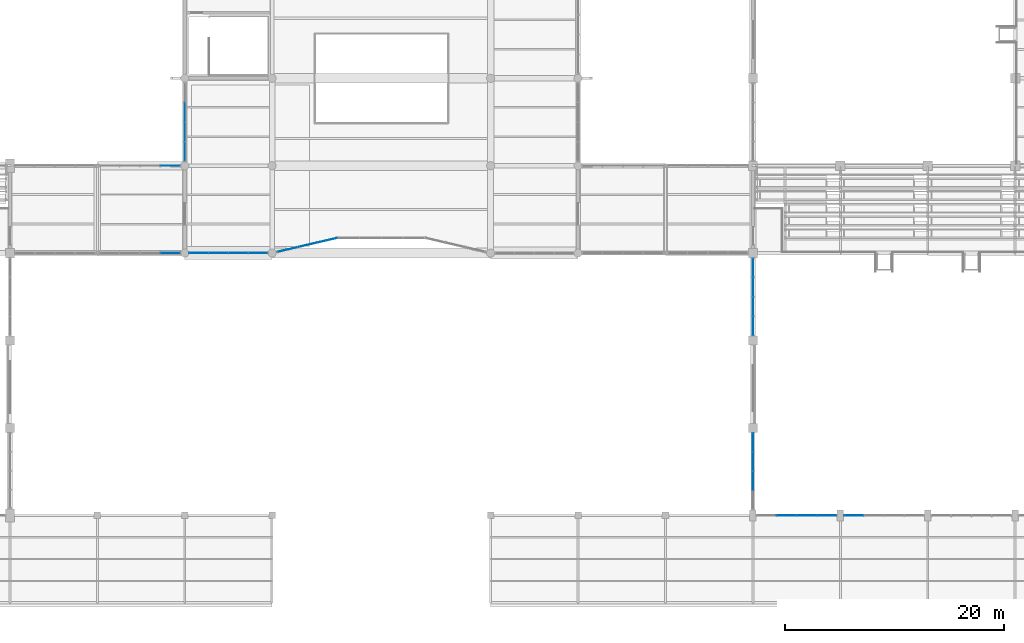
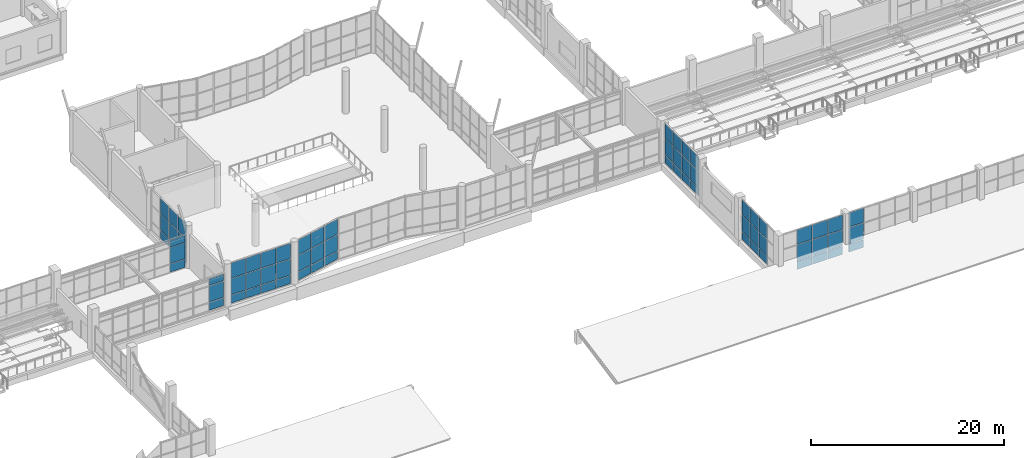
# One storey, part 74 of 122: 69 plates, 9 elements without a shape of their own.
"""IFC4 building model written with IfcOpenShell, lengths in metres."""

from ifc_helpers import new_model, si_unit, direction, frame, origin, origin_2d, place, context, subcontext, project, spatial, rectangle, extrude, material, layer, layer_set, type_object, element, aggregate, save


model = new_model("IFC4")

# Units and contexts
model_context = context("Model", 3, precision=1e-05, world=origin(), true_north=direction((0.0, 1.0)))
body_context = subcontext(model_context, "Body", "Model", "MODEL_VIEW")
ifc_project = project(units=[si_unit("LENGTHUNIT", "METRE"), si_unit("AREAUNIT", "SQUARE_METRE"), si_unit("VOLUMEUNIT", "CUBIC_METRE"), si_unit("PLANEANGLEUNIT", "RADIAN"), si_unit("MASSUNIT", "GRAM", prefix="KILO")], contexts=[model_context])

# Site, building, storey
site_placement = place(None, origin())
site = spatial("IfcSite", under=ifc_project, at=site_placement, CompositionType="ELEMENT")
building_placement = place(site_placement, origin())
building = spatial("IfcBuilding", under=site, at=building_placement, Name="Tenunan Teduh Sports Hall", CompositionType="ELEMENT")
storey_placement = place(building_placement, frame((0.0, 0.0, 5.39990234375)))
storey = spatial("IfcBuildingStorey", under=building, at=storey_placement, Name="L01", CompositionType="ELEMENT", Elevation=5.39990234375)

# Curtain wall, plates
ifc_material_1 = material(Name="Anodised aluminium", Category="aluminium")
curtain_wall_type_1 = type_object("IfcCurtainWallType", Name="CW-UNIT-1", PredefinedType="NOTDEFINED", material=ifc_material_1)
curtain_wall_1_placement = place(storey_placement, origin())
curtain_wall_1 = element("IfcCurtainWall", 1, at=curtain_wall_1_placement, inside=storey, type_object=curtain_wall_type_1, Name="CW-CWM-200-L01-008", PredefinedType="NOTDEFINED")
ifc_material_2 = material(Name="Low-E laminated double glazing", Category="glass")
ifc_layer_1 = layer(ifc_material_2, 0.028076171875)
ifc_layer_set_1 = layer_set([ifc_layer_1], Name="Low-E laminated double glazing")
plate_type_1 = type_object("IfcPlateType", Name="CWP-GLZ-28", PredefinedType="CURTAIN_PANEL", material=ifc_layer_set_1)
plate_1_placement = place(storey_placement, frame((131.242431640625, 14.0, 1.13525390625), z_axis=(0.0, 0.0, 1.0), x_axis=(1.0, 0.0, 0.0)))
plate_1 = element("IfcPlate", 2, at=plate_1_placement, type_object=plate_type_1, Name="CW-01 panel 1.2", PredefinedType="CURTAIN_PANEL", context=body_context, shape_type="SweptSolid", body=[
    extrude(rectangle(XDim=1.7451171875, YDim=0.028076171875, at=origin_2d()), origin(), (0.0, 0.0, 1.0), 2.030029296875),
])
plate_2_placement = place(storey_placement, frame((131.242431640625, 14.0, 3.235107421875), z_axis=(0.0, 0.0, 1.0), x_axis=(1.0, 0.0, 0.0)))
plate_2 = element("IfcPlate", 3, at=plate_2_placement, type_object=plate_type_1, Name="CW-01 panel 1.3", PredefinedType="CURTAIN_PANEL", context=body_context, shape_type="SweptSolid", body=[
    extrude(rectangle(XDim=1.7451171875, YDim=0.028076171875, at=origin_2d()), origin(), (0.0, 0.0, 1.0), 1.81494140625),
])

ifc_material_3 = material(Name="Anodised aluminium", Category="aluminium")
curtain_wall_type_2 = type_object("IfcCurtainWallType", Name="CW-FOYER-1", PredefinedType="NOTDEFINED", material=ifc_material_3)
curtain_wall_2_placement = place(storey_placement, origin())
curtain_wall_2 = element("IfcCurtainWall", 4, at=curtain_wall_2_placement, inside=storey, type_object=curtain_wall_type_2, Name="CW-CWM-175-L01-166", PredefinedType="NOTDEFINED")
plate_3_placement = place(storey_placement, frame((79.399658203125, 38.32666015625, 1.1328125), z_axis=(0.0, 0.0, 1.0), x_axis=(0.973842247135, 0.227225169591, 0.0)))
plate_3 = element("IfcPlate", 5, at=plate_3_placement, type_object=plate_type_1, Name="CW-04 panel 1.2", PredefinedType="CURTAIN_PANEL", context=body_context, shape_type="SweptSolid", body=[
    extrude(rectangle(XDim=1.798583984375, YDim=0.028076171875, at=origin_2d()), origin(), (0.0, 0.0, 1.0), 2.034912109375),
])
plate_4_placement = place(storey_placement, frame((79.399658203125, 38.32666015625, 3.232421875), z_axis=(0.0, 0.0, 1.0), x_axis=(0.973842247135, 0.227225169591, 0.0)))
plate_4 = element("IfcPlate", 6, at=plate_4_placement, type_object=plate_type_1, Name="CW-04 panel 1.3", PredefinedType="CURTAIN_PANEL", context=body_context, shape_type="SweptSolid", body=[
    extrude(rectangle(XDim=1.798583984375, YDim=0.028076171875, at=origin_2d()), origin(), (0.0, 0.0, 1.0), 1.902587890625),
])
plate_5_placement = place(storey_placement, frame((81.230224609375, 38.753662109375, 1.1328125), z_axis=(0.0, 0.0, 1.0), x_axis=(0.973842247135, 0.227225169591, 0.0)))
plate_5 = element("IfcPlate", 7, at=plate_5_placement, type_object=plate_type_1, Name="CW-04 panel 2.2", PredefinedType="CURTAIN_PANEL", context=body_context, shape_type="SweptSolid", body=[
    extrude(rectangle(XDim=1.8310546875, YDim=0.028076171875, at=origin_2d()), origin(), (0.0, 0.0, 1.0), 2.034912109375),
])
plate_6_placement = place(storey_placement, frame((81.230224609375, 38.753662109375, 3.232421875), z_axis=(0.0, 0.0, 1.0), x_axis=(0.973842247135, 0.227225169591, 0.0)))
plate_6 = element("IfcPlate", 8, at=plate_6_placement, type_object=plate_type_1, Name="CW-04 panel 2.3", PredefinedType="CURTAIN_PANEL", context=body_context, shape_type="SweptSolid", body=[
    extrude(rectangle(XDim=1.8310546875, YDim=0.028076171875, at=origin_2d()), origin(), (0.0, 0.0, 1.0), 1.902587890625),
])
plate_7_placement = place(storey_placement, frame((83.06103515625, 39.180908203125, 1.1328125), z_axis=(0.0, 0.0, 1.0), x_axis=(0.973842247135, 0.227225169591, 0.0)))
plate_7 = element("IfcPlate", 9, at=plate_7_placement, type_object=plate_type_1, Name="CW-04 panel 3.2", PredefinedType="CURTAIN_PANEL", context=body_context, shape_type="SweptSolid", body=[
    extrude(rectangle(XDim=1.798583984375, YDim=0.028076171875, at=origin_2d()), origin(), (0.0, 0.0, 1.0), 2.034912109375),
])
plate_8_placement = place(storey_placement, frame((83.06103515625, 39.180908203125, 3.232421875), z_axis=(0.0, 0.0, 1.0), x_axis=(0.973842247135, 0.227225169591, 0.0)))
plate_8 = element("IfcPlate", 10, at=plate_8_placement, type_object=plate_type_1, Name="CW-04 panel 3.3", PredefinedType="CURTAIN_PANEL", context=body_context, shape_type="SweptSolid", body=[
    extrude(rectangle(XDim=1.798583984375, YDim=0.028076171875, at=origin_2d()), origin(), (0.0, 0.0, 1.0), 1.902587890625),
])

curtain_wall_3_placement = place(storey_placement, origin())
curtain_wall_3 = element("IfcCurtainWall", 11, at=curtain_wall_3_placement, inside=storey, type_object=curtain_wall_type_1, Name="CW-CWM-200-L01-172", PredefinedType="NOTDEFINED")
plate_9_placement = place(storey_placement, frame((70.0, 47.298828125, 1.13525390625), z_axis=(0.0, 0.0, 1.0), x_axis=(0.0, 1.0, 0.0)))
plate_9 = element("IfcPlate", 12, at=plate_9_placement, type_object=plate_type_1, Name="CW-01 panel 1.2", PredefinedType="CURTAIN_PANEL", context=body_context, shape_type="SweptSolid", body=[
    extrude(rectangle(XDim=1.70751953125, YDim=0.028076171875, at=origin_2d()), origin(), (0.0, 0.0, 1.0), 2.030029296875),
])
plate_10_placement = place(storey_placement, frame((70.0, 47.298828125, 3.235107421875), z_axis=(0.0, 0.0, 1.0), x_axis=(0.0, 1.0, 0.0)))
plate_10 = element("IfcPlate", 13, at=plate_10_placement, type_object=plate_type_1, Name="CW-01 panel 1.3", PredefinedType="CURTAIN_PANEL", context=body_context, shape_type="SweptSolid", body=[
    extrude(rectangle(XDim=1.70751953125, YDim=0.028076171875, at=origin_2d()), origin(), (0.0, 0.0, 1.0), 1.89501953125),
])
plate_11_placement = place(storey_placement, frame((70.0, 49.09375, 1.13525390625), z_axis=(0.0, 0.0, 1.0), x_axis=(0.0, 1.0, 0.0)))
plate_11 = element("IfcPlate", 14, at=plate_11_placement, type_object=plate_type_1, Name="CW-01 panel 2.2", PredefinedType="CURTAIN_PANEL", context=body_context, shape_type="SweptSolid", body=[
    extrude(rectangle(XDim=1.742431640625, YDim=0.028076171875, at=origin_2d()), origin(), (0.0, 0.0, 1.0), 2.030029296875),
])
plate_12_placement = place(storey_placement, frame((70.0, 49.09375, 3.235107421875), z_axis=(0.0, 0.0, 1.0), x_axis=(0.0, 1.0, 0.0)))
plate_12 = element("IfcPlate", 15, at=plate_12_placement, type_object=plate_type_1, Name="CW-01 panel 2.3", PredefinedType="CURTAIN_PANEL", context=body_context, shape_type="SweptSolid", body=[
    extrude(rectangle(XDim=1.742431640625, YDim=0.028076171875, at=origin_2d()), origin(), (0.0, 0.0, 1.0), 1.89501953125),
])
plate_13_placement = place(storey_placement, frame((70.0, 50.90625, 1.13525390625), z_axis=(0.0, 0.0, 1.0), x_axis=(0.0, 1.0, 0.0)))
plate_13 = element("IfcPlate", 16, at=plate_13_placement, type_object=plate_type_1, Name="CW-01 panel 3.2", PredefinedType="CURTAIN_PANEL", context=body_context, shape_type="SweptSolid", body=[
    extrude(rectangle(XDim=1.742431640625, YDim=0.028076171875, at=origin_2d()), origin(), (0.0, 0.0, 1.0), 2.030029296875),
])
plate_14_placement = place(storey_placement, frame((70.0, 50.90625, 3.235107421875), z_axis=(0.0, 0.0, 1.0), x_axis=(0.0, 1.0, 0.0)))
plate_14 = element("IfcPlate", 17, at=plate_14_placement, type_object=plate_type_1, Name="CW-01 panel 3.3", PredefinedType="CURTAIN_PANEL", context=body_context, shape_type="SweptSolid", body=[
    extrude(rectangle(XDim=1.742431640625, YDim=0.028076171875, at=origin_2d()), origin(), (0.0, 0.0, 1.0), 1.89501953125),
])

curtain_wall_4_placement = place(storey_placement, origin())
curtain_wall_4 = element("IfcCurtainWall", 18, at=curtain_wall_4_placement, inside=storey, type_object=curtain_wall_type_1, Name="CW-CWM-150-L01-007", PredefinedType="NOTDEFINED")
ifc_material_4 = material(Name="Solar-control laminated glazing", Category="glass")
ifc_layer_2 = layer(ifc_material_4, 0.031982421875)
ifc_layer_set_2 = layer_set([ifc_layer_2], Name="Solar-control laminated glazing")
plate_type_2 = type_object("IfcPlateType", Name="CWP-GLZ-32", PredefinedType="CURTAIN_PANEL", material=ifc_layer_set_2)
plate_15_placement = place(storey_placement, frame((125.074951171875, 14.0, 1.130126953125), z_axis=(0.0, 0.0, 1.0), x_axis=(1.0, 0.0, 0.0)))
plate_15 = element("IfcPlate", 19, at=plate_15_placement, type_object=plate_type_2, Name="CW-01 panel 2.2", PredefinedType="CURTAIN_PANEL", context=body_context, shape_type="SweptSolid", body=[
    extrude(rectangle(XDim=1.7900390625, YDim=0.031982421875, at=origin_2d()), origin(), (0.0, 0.0, 1.0), 2.0400390625),
])
plate_16_placement = place(storey_placement, frame((125.074951171875, 14.0, 3.22998046875), z_axis=(0.0, 0.0, 1.0), x_axis=(1.0, 0.0, 0.0)))
plate_16 = element("IfcPlate", 20, at=plate_16_placement, type_object=plate_type_2, Name="CW-01 panel 2.3", PredefinedType="CURTAIN_PANEL", context=body_context, shape_type="SweptSolid", body=[
    extrude(rectangle(XDim=1.7900390625, YDim=0.031982421875, at=origin_2d()), origin(), (0.0, 0.0, 1.0), 1.830078125),
])
plate_17_placement = place(storey_placement, frame((126.925048828125, 14.0, 1.130126953125), z_axis=(0.0, 0.0, 1.0), x_axis=(1.0, 0.0, 0.0)))
plate_17 = element("IfcPlate", 21, at=plate_17_placement, type_object=plate_type_2, Name="CW-01 panel 3.2", PredefinedType="CURTAIN_PANEL", context=body_context, shape_type="SweptSolid", body=[
    extrude(rectangle(XDim=1.7900390625, YDim=0.031982421875, at=origin_2d()), origin(), (0.0, 0.0, 1.0), 2.0400390625),
])
plate_18_placement = place(storey_placement, frame((126.925048828125, 14.0, 3.22998046875), z_axis=(0.0, 0.0, 1.0), x_axis=(1.0, 0.0, 0.0)))
plate_18 = element("IfcPlate", 22, at=plate_18_placement, type_object=plate_type_2, Name="CW-01 panel 3.3", PredefinedType="CURTAIN_PANEL", context=body_context, shape_type="SweptSolid", body=[
    extrude(rectangle(XDim=1.7900390625, YDim=0.031982421875, at=origin_2d()), origin(), (0.0, 0.0, 1.0), 1.830078125),
])
plate_19_placement = place(storey_placement, frame((128.760009765625, 14.0, 1.130126953125), z_axis=(0.0, 0.0, 1.0), x_axis=(1.0, 0.0, 0.0)))
plate_19 = element("IfcPlate", 23, at=plate_19_placement, type_object=plate_type_2, Name="CW-01 panel 4.2", PredefinedType="CURTAIN_PANEL", context=body_context, shape_type="SweptSolid", body=[
    extrude(rectangle(XDim=1.760009765625, YDim=0.031982421875, at=origin_2d()), origin(), (0.0, 0.0, 1.0), 2.0400390625),
])
plate_20_placement = place(storey_placement, frame((128.760009765625, 14.0, 3.22998046875), z_axis=(0.0, 0.0, 1.0), x_axis=(1.0, 0.0, 0.0)))
plate_20 = element("IfcPlate", 24, at=plate_20_placement, type_object=plate_type_2, Name="CW-01 panel 4.3", PredefinedType="CURTAIN_PANEL", context=body_context, shape_type="SweptSolid", body=[
    extrude(rectangle(XDim=1.760009765625, YDim=0.031982421875, at=origin_2d()), origin(), (0.0, 0.0, 1.0), 1.830078125),
])

curtain_wall_5_placement = place(storey_placement, origin())
curtain_wall_5 = element("IfcCurtainWall", 25, at=curtain_wall_5_placement, inside=storey, type_object=curtain_wall_type_1, Name="CW-CWM-150-L01-015", PredefinedType="NOTDEFINED")
plate_21_placement = place(storey_placement, frame((122.0, 17.153076171875, 1.130126953125), z_axis=(0.0, 0.0, 1.0), x_axis=(0.0, 1.0, 0.0)))
plate_21 = element("IfcPlate", 26, at=plate_21_placement, type_object=plate_type_2, Name="CW-01 panel 2.2", PredefinedType="CURTAIN_PANEL", context=body_context, shape_type="SweptSolid", body=[
    extrude(rectangle(XDim=1.708740234375, YDim=0.031982421875, at=origin_2d()), origin(), (0.0, 0.0, 1.0), 2.0400390625),
])
plate_22_placement = place(storey_placement, frame((122.0, 17.153076171875, 3.22998046875), z_axis=(0.0, 0.0, 1.0), x_axis=(0.0, 1.0, 0.0)))
plate_22 = element("IfcPlate", 27, at=plate_22_placement, type_object=plate_type_2, Name="CW-01 panel 2.3", PredefinedType="CURTAIN_PANEL", context=body_context, shape_type="SweptSolid", body=[
    extrude(rectangle(XDim=1.708740234375, YDim=0.031982421875, at=origin_2d()), origin(), (0.0, 0.0, 1.0), 1.830078125),
])
plate_23_placement = place(storey_placement, frame((122.0, 18.921875, 1.130126953125), z_axis=(0.0, 0.0, 1.0), x_axis=(0.0, 1.0, 0.0)))
plate_23 = element("IfcPlate", 28, at=plate_23_placement, type_object=plate_type_2, Name="CW-01 panel 3.2", PredefinedType="CURTAIN_PANEL", context=body_context, shape_type="SweptSolid", body=[
    extrude(rectangle(XDim=1.708740234375, YDim=0.031982421875, at=origin_2d()), origin(), (0.0, 0.0, 1.0), 2.0400390625),
])
plate_24_placement = place(storey_placement, frame((122.0, 18.921875, 3.22998046875), z_axis=(0.0, 0.0, 1.0), x_axis=(0.0, 1.0, 0.0)))
plate_24 = element("IfcPlate", 29, at=plate_24_placement, type_object=plate_type_2, Name="CW-01 panel 3.3", PredefinedType="CURTAIN_PANEL", context=body_context, shape_type="SweptSolid", body=[
    extrude(rectangle(XDim=1.708740234375, YDim=0.031982421875, at=origin_2d()), origin(), (0.0, 0.0, 1.0), 1.830078125),
])
plate_25_placement = place(storey_placement, frame((122.0, 20.675537109375, 1.130126953125), z_axis=(0.0, 0.0, 1.0), x_axis=(0.0, 1.0, 0.0)))
plate_25 = element("IfcPlate", 30, at=plate_25_placement, type_object=plate_type_2, Name="CW-01 panel 4.2", PredefinedType="CURTAIN_PANEL", context=body_context, shape_type="SweptSolid", body=[
    extrude(rectangle(XDim=1.6787109375, YDim=0.031982421875, at=origin_2d()), origin(), (0.0, 0.0, 1.0), 2.0400390625),
])
plate_26_placement = place(storey_placement, frame((122.0, 20.675537109375, 3.22998046875), z_axis=(0.0, 0.0, 1.0), x_axis=(0.0, 1.0, 0.0)))
plate_26 = element("IfcPlate", 31, at=plate_26_placement, type_object=plate_type_2, Name="CW-01 panel 4.3", PredefinedType="CURTAIN_PANEL", context=body_context, shape_type="SweptSolid", body=[
    extrude(rectangle(XDim=1.6787109375, YDim=0.031982421875, at=origin_2d()), origin(), (0.0, 0.0, 1.0), 1.830078125),
])

curtain_wall_6_placement = place(storey_placement, origin())
curtain_wall_6 = element("IfcCurtainWall", 32, at=curtain_wall_6_placement, inside=storey, type_object=curtain_wall_type_1, Name="CW-CWM-220-L01-017", PredefinedType="NOTDEFINED")
plate_27_placement = place(storey_placement, frame((122.0, 31.33740234375, 1.1376953125), z_axis=(0.0, 0.0, 1.0), x_axis=(0.0, 1.0, 0.0)))
plate_27 = element("IfcPlate", 33, at=plate_27_placement, type_object=plate_type_2, Name="CW-01 panel 1.2", PredefinedType="CURTAIN_PANEL", context=body_context, shape_type="SweptSolid", body=[
    extrude(rectangle(XDim=1.675048828125, YDim=0.031982421875, at=origin_2d()), origin(), (0.0, 0.0, 1.0), 2.02490234375),
])
plate_28_placement = place(storey_placement, frame((122.0, 31.33740234375, 3.237548828125), z_axis=(0.0, 0.0, 1.0), x_axis=(0.0, 1.0, 0.0)))
plate_28 = element("IfcPlate", 34, at=plate_28_placement, type_object=plate_type_2, Name="CW-01 panel 1.3", PredefinedType="CURTAIN_PANEL", context=body_context, shape_type="SweptSolid", body=[
    extrude(rectangle(XDim=1.675048828125, YDim=0.031982421875, at=origin_2d()), origin(), (0.0, 0.0, 1.0), 1.8076171875),
])
plate_29_placement = place(storey_placement, frame((122.0, 33.106201171875, 1.1376953125), z_axis=(0.0, 0.0, 1.0), x_axis=(0.0, 1.0, 0.0)))
plate_29 = element("IfcPlate", 35, at=plate_29_placement, type_object=plate_type_2, Name="CW-01 panel 2.2", PredefinedType="CURTAIN_PANEL", context=body_context, shape_type="SweptSolid", body=[
    extrude(rectangle(XDim=1.71240234375, YDim=0.031982421875, at=origin_2d()), origin(), (0.0, 0.0, 1.0), 2.02490234375),
])
plate_30_placement = place(storey_placement, frame((122.0, 33.106201171875, 3.237548828125), z_axis=(0.0, 0.0, 1.0), x_axis=(0.0, 1.0, 0.0)))
plate_30 = element("IfcPlate", 36, at=plate_30_placement, type_object=plate_type_2, Name="CW-01 panel 2.3", PredefinedType="CURTAIN_PANEL", context=body_context, shape_type="SweptSolid", body=[
    extrude(rectangle(XDim=1.71240234375, YDim=0.031982421875, at=origin_2d()), origin(), (0.0, 0.0, 1.0), 1.8076171875),
])
plate_31_placement = place(storey_placement, frame((122.0, 34.893798828125, 1.1376953125), z_axis=(0.0, 0.0, 1.0), x_axis=(0.0, 1.0, 0.0)))
plate_31 = element("IfcPlate", 37, at=plate_31_placement, type_object=plate_type_2, Name="CW-01 panel 3.2", PredefinedType="CURTAIN_PANEL", context=body_context, shape_type="SweptSolid", body=[
    extrude(rectangle(XDim=1.71240234375, YDim=0.031982421875, at=origin_2d()), origin(), (0.0, 0.0, 1.0), 2.02490234375),
])
plate_32_placement = place(storey_placement, frame((122.0, 34.893798828125, 3.237548828125), z_axis=(0.0, 0.0, 1.0), x_axis=(0.0, 1.0, 0.0)))
plate_32 = element("IfcPlate", 38, at=plate_32_placement, type_object=plate_type_2, Name="CW-01 panel 3.3", PredefinedType="CURTAIN_PANEL", context=body_context, shape_type="SweptSolid", body=[
    extrude(rectangle(XDim=1.71240234375, YDim=0.031982421875, at=origin_2d()), origin(), (0.0, 0.0, 1.0), 1.8076171875),
])
plate_33_placement = place(storey_placement, frame((122.0, 36.66259765625, 1.1376953125), z_axis=(0.0, 0.0, 1.0), x_axis=(0.0, 1.0, 0.0)))
plate_33 = element("IfcPlate", 39, at=plate_33_placement, type_object=plate_type_2, Name="CW-01 panel 4.2", PredefinedType="CURTAIN_PANEL", context=body_context, shape_type="SweptSolid", body=[
    extrude(rectangle(XDim=1.675048828125, YDim=0.031982421875, at=origin_2d()), origin(), (0.0, 0.0, 1.0), 2.02490234375),
])
plate_34_placement = place(storey_placement, frame((122.0, 36.66259765625, 3.237548828125), z_axis=(0.0, 0.0, 1.0), x_axis=(0.0, 1.0, 0.0)))
plate_34 = element("IfcPlate", 40, at=plate_34_placement, type_object=plate_type_2, Name="CW-01 panel 4.3", PredefinedType="CURTAIN_PANEL", context=body_context, shape_type="SweptSolid", body=[
    extrude(rectangle(XDim=1.675048828125, YDim=0.031982421875, at=origin_2d()), origin(), (0.0, 0.0, 1.0), 1.8076171875),
])

curtain_wall_7_placement = place(storey_placement, origin())
curtain_wall_7 = element("IfcCurtainWall", 41, at=curtain_wall_7_placement, inside=storey, type_object=curtain_wall_type_1, Name="CW-CWM-150-L01-163", PredefinedType="NOTDEFINED")
plate_35_placement = place(storey_placement, frame((71.296142578125, 38.0, 1.130126953125), z_axis=(0.0, 0.0, 1.0), x_axis=(1.0, 0.0, 0.0)))
plate_35 = element("IfcPlate", 42, at=plate_35_placement, type_object=plate_type_2, Name="CW-01 panel 1.2", PredefinedType="CURTAIN_PANEL", context=body_context, shape_type="SweptSolid", body=[
    extrude(rectangle(XDim=1.722412109375, YDim=0.031982421875, at=origin_2d()), origin(), (0.0, 0.0, 1.0), 2.0400390625),
])
plate_36_placement = place(storey_placement, frame((71.296142578125, 38.0, 3.22998046875), z_axis=(0.0, 0.0, 1.0), x_axis=(1.0, 0.0, 0.0)))
plate_36 = element("IfcPlate", 43, at=plate_36_placement, type_object=plate_type_2, Name="CW-01 panel 1.3", PredefinedType="CURTAIN_PANEL", context=body_context, shape_type="SweptSolid", body=[
    extrude(rectangle(XDim=1.722412109375, YDim=0.031982421875, at=origin_2d()), origin(), (0.0, 0.0, 1.0), 1.909912109375),
])
plate_37_placement = place(storey_placement, frame((73.09375, 38.0, 1.130126953125), z_axis=(0.0, 0.0, 1.0), x_axis=(1.0, 0.0, 0.0)))
plate_37 = element("IfcPlate", 44, at=plate_37_placement, type_object=plate_type_2, Name="CW-01 panel 2.2", PredefinedType="CURTAIN_PANEL", context=body_context, shape_type="SweptSolid", body=[
    extrude(rectangle(XDim=1.75244140625, YDim=0.031982421875, at=origin_2d()), origin(), (0.0, 0.0, 1.0), 2.0400390625),
])
plate_38_placement = place(storey_placement, frame((73.09375, 38.0, 3.22998046875), z_axis=(0.0, 0.0, 1.0), x_axis=(1.0, 0.0, 0.0)))
plate_38 = element("IfcPlate", 45, at=plate_38_placement, type_object=plate_type_2, Name="CW-01 panel 2.3", PredefinedType="CURTAIN_PANEL", context=body_context, shape_type="SweptSolid", body=[
    extrude(rectangle(XDim=1.75244140625, YDim=0.031982421875, at=origin_2d()), origin(), (0.0, 0.0, 1.0), 1.909912109375),
])
plate_39_placement = place(storey_placement, frame((74.90625, 38.0, 1.130126953125), z_axis=(0.0, 0.0, 1.0), x_axis=(1.0, 0.0, 0.0)))
plate_39 = element("IfcPlate", 46, at=plate_39_placement, type_object=plate_type_2, Name="CW-01 panel 3.2", PredefinedType="CURTAIN_PANEL", context=body_context, shape_type="SweptSolid", body=[
    extrude(rectangle(XDim=1.75244140625, YDim=0.031982421875, at=origin_2d()), origin(), (0.0, 0.0, 1.0), 2.0400390625),
])
plate_40_placement = place(storey_placement, frame((74.90625, 38.0, 3.22998046875), z_axis=(0.0, 0.0, 1.0), x_axis=(1.0, 0.0, 0.0)))
plate_40 = element("IfcPlate", 47, at=plate_40_placement, type_object=plate_type_2, Name="CW-01 panel 3.3", PredefinedType="CURTAIN_PANEL", context=body_context, shape_type="SweptSolid", body=[
    extrude(rectangle(XDim=1.75244140625, YDim=0.031982421875, at=origin_2d()), origin(), (0.0, 0.0, 1.0), 1.909912109375),
])
plate_41_placement = place(storey_placement, frame((76.703857421875, 38.0, 1.130126953125), z_axis=(0.0, 0.0, 1.0), x_axis=(1.0, 0.0, 0.0)))
plate_41 = element("IfcPlate", 48, at=plate_41_placement, type_object=plate_type_2, Name="CW-01 panel 4.2", PredefinedType="CURTAIN_PANEL", context=body_context, shape_type="SweptSolid", body=[
    extrude(rectangle(XDim=1.722412109375, YDim=0.031982421875, at=origin_2d()), origin(), (0.0, 0.0, 1.0), 2.0400390625),
])
plate_42_placement = place(storey_placement, frame((76.703857421875, 38.0, 3.22998046875), z_axis=(0.0, 0.0, 1.0), x_axis=(1.0, 0.0, 0.0)))
plate_42 = element("IfcPlate", 49, at=plate_42_placement, type_object=plate_type_2, Name="CW-01 panel 4.3", PredefinedType="CURTAIN_PANEL", context=body_context, shape_type="SweptSolid", body=[
    extrude(rectangle(XDim=1.722412109375, YDim=0.031982421875, at=origin_2d()), origin(), (0.0, 0.0, 1.0), 1.909912109375),
])

ifc_material_5 = material(Name="Anodised aluminium", Category="aluminium")
curtain_wall_type_3 = type_object("IfcCurtainWallType", Name="CW-UNIT-2", PredefinedType="NOTDEFINED", material=ifc_material_5)
curtain_wall_8_placement = place(storey_placement, origin())
curtain_wall_8 = element("IfcCurtainWall", 50, at=curtain_wall_8_placement, inside=storey, type_object=curtain_wall_type_3, Name="CW-CWM-220-L01-177", PredefinedType="NOTDEFINED")
plate_43_placement = place(storey_placement, frame((68.67333984375, 38.0, 1.1376953125), z_axis=(0.0, 0.0, 1.0), x_axis=(1.0, 0.0, 0.0)))
plate_43 = element("IfcPlate", 51, at=plate_43_placement, type_object=plate_type_2, Name="CW-02 panel 4.2", PredefinedType="CURTAIN_PANEL", context=body_context, shape_type="SweptSolid", body=[
    extrude(rectangle(XDim=1.753173828125, YDim=0.031982421875, at=origin_2d()), origin(), (0.0, 0.0, 1.0), 2.02490234375),
])
plate_44_placement = place(storey_placement, frame((68.67333984375, 38.0, 3.237548828125), z_axis=(0.0, 0.0, 1.0), x_axis=(1.0, 0.0, 0.0)))
plate_44 = element("IfcPlate", 52, at=plate_44_placement, type_object=plate_type_2, Name="CW-02 panel 4.3", PredefinedType="CURTAIN_PANEL", context=body_context, shape_type="SweptSolid", body=[
    extrude(rectangle(XDim=1.753173828125, YDim=0.031982421875, at=origin_2d()), origin(), (0.0, 0.0, 1.0), 0.83740234375),
])

curtain_wall_9_placement = place(storey_placement, origin())
curtain_wall_9 = element("IfcCurtainWall", 53, at=curtain_wall_9_placement, inside=storey, type_object=curtain_wall_type_3, Name="CW-CWM-150-L01-179", PredefinedType="NOTDEFINED")
plate_45_placement = place(storey_placement, frame((68.677001953125, 46.0, 1.130126953125), z_axis=(0.0, 0.0, 1.0), x_axis=(1.0, 0.0, 0.0)))
plate_45 = element("IfcPlate", 54, at=plate_45_placement, type_object=plate_type_2, Name="CW-02 panel 4.2", PredefinedType="CURTAIN_PANEL", context=body_context, shape_type="SweptSolid", body=[
    extrude(rectangle(XDim=1.77587890625, YDim=0.031982421875, at=origin_2d()), origin(), (0.0, 0.0, 1.0), 2.0400390625),
])
plate_46_placement = place(storey_placement, frame((68.677001953125, 46.0, 3.22998046875), z_axis=(0.0, 0.0, 1.0), x_axis=(1.0, 0.0, 0.0)))
plate_46 = element("IfcPlate", 55, at=plate_46_placement, type_object=plate_type_2, Name="CW-02 panel 4.3", PredefinedType="CURTAIN_PANEL", context=body_context, shape_type="SweptSolid", body=[
    extrude(rectangle(XDim=1.77587890625, YDim=0.031982421875, at=origin_2d()), origin(), (0.0, 0.0, 1.0), 0.860107421875),
])

# Plate
ifc_material_6 = material(Name="Insulated aluminium spandrel panel", Category="aluminium")
ifc_layer_3 = layer(ifc_material_6, 0.044921875)
ifc_layer_set_3 = layer_set([ifc_layer_3], Name="Insulated aluminium spandrel panel")
plate_type_3 = type_object("IfcPlateType", Name="CWP-SPN-45", PredefinedType="CURTAIN_PANEL", material=ifc_layer_set_3)
plate_47_placement = place(storey_placement, frame((125.074951171875, 14.0, 0.06005859375), z_axis=(0.0, 0.0, 1.0), x_axis=(1.0, 0.0, 0.0)))
plate_47 = element("IfcPlate", 56, at=plate_47_placement, type_object=plate_type_3, Name="CW-01 panel 2.1", PredefinedType="CURTAIN_PANEL", context=body_context, shape_type="SweptSolid", body=[
    extrude(rectangle(XDim=1.7900390625, YDim=0.031982421875, at=origin_2d()), origin(), (0.0, 0.0, 1.0), 1.010009765625),
])

plate_48_placement = place(storey_placement, frame((126.925048828125, 14.0, 0.06005859375), z_axis=(0.0, 0.0, 1.0), x_axis=(1.0, 0.0, 0.0)))
plate_48 = element("IfcPlate", 57, at=plate_48_placement, type_object=plate_type_3, Name="CW-01 panel 3.1", PredefinedType="CURTAIN_PANEL", context=body_context, shape_type="SweptSolid", body=[
    extrude(rectangle(XDim=1.7900390625, YDim=0.031982421875, at=origin_2d()), origin(), (0.0, 0.0, 1.0), 1.010009765625),
])

plate_49_placement = place(storey_placement, frame((128.760009765625, 14.0, 0.06005859375), z_axis=(0.0, 0.0, 1.0), x_axis=(1.0, 0.0, 0.0)))
plate_49 = element("IfcPlate", 58, at=plate_49_placement, type_object=plate_type_3, Name="CW-01 panel 4.1", PredefinedType="CURTAIN_PANEL", context=body_context, shape_type="SweptSolid", body=[
    extrude(rectangle(XDim=1.760009765625, YDim=0.031982421875, at=origin_2d()), origin(), (0.0, 0.0, 1.0), 1.010009765625),
])

aggregate(curtain_wall_4, [plate_47, plate_15, plate_16, plate_48, plate_17, plate_18, plate_49, plate_19, plate_20])

plate_50_placement = place(storey_placement, frame((131.242431640625, 14.0, 0.070068359375), z_axis=(0.0, 0.0, 1.0), x_axis=(1.0, 0.0, 0.0)))
plate_50 = element("IfcPlate", 59, at=plate_50_placement, type_object=plate_type_3, Name="CW-01 panel 1.1", PredefinedType="CURTAIN_PANEL", context=body_context, shape_type="SweptSolid", body=[
    extrude(rectangle(XDim=1.7451171875, YDim=0.028076171875, at=origin_2d()), origin(), (0.0, 0.0, 1.0), 0.9951171875),
])

aggregate(curtain_wall_1, [plate_50, plate_1, plate_2])

plate_51_placement = place(storey_placement, frame((122.0, 17.153076171875, 0.06005859375), z_axis=(0.0, 0.0, 1.0), x_axis=(0.0, 1.0, 0.0)))
plate_51 = element("IfcPlate", 60, at=plate_51_placement, type_object=plate_type_3, Name="CW-01 panel 2.1", PredefinedType="CURTAIN_PANEL", context=body_context, shape_type="SweptSolid", body=[
    extrude(rectangle(XDim=1.708740234375, YDim=0.031982421875, at=origin_2d()), origin(), (0.0, 0.0, 1.0), 1.010009765625),
])

plate_52_placement = place(storey_placement, frame((122.0, 18.921875, 0.06005859375), z_axis=(0.0, 0.0, 1.0), x_axis=(0.0, 1.0, 0.0)))
plate_52 = element("IfcPlate", 61, at=plate_52_placement, type_object=plate_type_3, Name="CW-01 panel 3.1", PredefinedType="CURTAIN_PANEL", context=body_context, shape_type="SweptSolid", body=[
    extrude(rectangle(XDim=1.708740234375, YDim=0.031982421875, at=origin_2d()), origin(), (0.0, 0.0, 1.0), 1.010009765625),
])

plate_53_placement = place(storey_placement, frame((122.0, 20.675537109375, 0.06005859375), z_axis=(0.0, 0.0, 1.0), x_axis=(0.0, 1.0, 0.0)))
plate_53 = element("IfcPlate", 62, at=plate_53_placement, type_object=plate_type_3, Name="CW-01 panel 4.1", PredefinedType="CURTAIN_PANEL", context=body_context, shape_type="SweptSolid", body=[
    extrude(rectangle(XDim=1.6787109375, YDim=0.031982421875, at=origin_2d()), origin(), (0.0, 0.0, 1.0), 1.010009765625),
])

aggregate(curtain_wall_5, [plate_51, plate_21, plate_22, plate_52, plate_23, plate_24, plate_53, plate_25, plate_26])

plate_54_placement = place(storey_placement, frame((122.0, 31.33740234375, 0.0751953125), z_axis=(0.0, 0.0, 1.0), x_axis=(0.0, 1.0, 0.0)))
plate_54 = element("IfcPlate", 63, at=plate_54_placement, type_object=plate_type_3, Name="CW-01 panel 1.1", PredefinedType="CURTAIN_PANEL", context=body_context, shape_type="SweptSolid", body=[
    extrude(rectangle(XDim=1.675048828125, YDim=0.031982421875, at=origin_2d()), origin(), (0.0, 0.0, 1.0), 0.987548828125),
])

plate_55_placement = place(storey_placement, frame((122.0, 33.106201171875, 0.0751953125), z_axis=(0.0, 0.0, 1.0), x_axis=(0.0, 1.0, 0.0)))
plate_55 = element("IfcPlate", 64, at=plate_55_placement, type_object=plate_type_3, Name="CW-01 panel 2.1", PredefinedType="CURTAIN_PANEL", context=body_context, shape_type="SweptSolid", body=[
    extrude(rectangle(XDim=1.71240234375, YDim=0.031982421875, at=origin_2d()), origin(), (0.0, 0.0, 1.0), 0.987548828125),
])

plate_56_placement = place(storey_placement, frame((122.0, 34.893798828125, 0.0751953125), z_axis=(0.0, 0.0, 1.0), x_axis=(0.0, 1.0, 0.0)))
plate_56 = element("IfcPlate", 65, at=plate_56_placement, type_object=plate_type_3, Name="CW-01 panel 3.1", PredefinedType="CURTAIN_PANEL", context=body_context, shape_type="SweptSolid", body=[
    extrude(rectangle(XDim=1.71240234375, YDim=0.031982421875, at=origin_2d()), origin(), (0.0, 0.0, 1.0), 0.987548828125),
])

plate_57_placement = place(storey_placement, frame((122.0, 36.66259765625, 0.0751953125), z_axis=(0.0, 0.0, 1.0), x_axis=(0.0, 1.0, 0.0)))
plate_57 = element("IfcPlate", 66, at=plate_57_placement, type_object=plate_type_3, Name="CW-01 panel 4.1", PredefinedType="CURTAIN_PANEL", context=body_context, shape_type="SweptSolid", body=[
    extrude(rectangle(XDim=1.675048828125, YDim=0.031982421875, at=origin_2d()), origin(), (0.0, 0.0, 1.0), 0.987548828125),
])

aggregate(curtain_wall_6, [plate_54, plate_27, plate_28, plate_55, plate_29, plate_30, plate_56, plate_31, plate_32, plate_57, plate_33, plate_34])

plate_58_placement = place(storey_placement, frame((71.296142578125, 38.0, 0.06005859375), z_axis=(0.0, 0.0, 1.0), x_axis=(1.0, 0.0, 0.0)))
plate_58 = element("IfcPlate", 67, at=plate_58_placement, type_object=plate_type_3, Name="CW-01 panel 1.1", PredefinedType="CURTAIN_PANEL", context=body_context, shape_type="SweptSolid", body=[
    extrude(rectangle(XDim=1.722412109375, YDim=0.031982421875, at=origin_2d()), origin(), (0.0, 0.0, 1.0), 1.010009765625),
])

plate_59_placement = place(storey_placement, frame((73.09375, 38.0, 0.06005859375), z_axis=(0.0, 0.0, 1.0), x_axis=(1.0, 0.0, 0.0)))
plate_59 = element("IfcPlate", 68, at=plate_59_placement, type_object=plate_type_3, Name="CW-01 panel 2.1", PredefinedType="CURTAIN_PANEL", context=body_context, shape_type="SweptSolid", body=[
    extrude(rectangle(XDim=1.75244140625, YDim=0.031982421875, at=origin_2d()), origin(), (0.0, 0.0, 1.0), 1.010009765625),
])

plate_60_placement = place(storey_placement, frame((74.90625, 38.0, 0.06005859375), z_axis=(0.0, 0.0, 1.0), x_axis=(1.0, 0.0, 0.0)))
plate_60 = element("IfcPlate", 69, at=plate_60_placement, type_object=plate_type_3, Name="CW-01 panel 3.1", PredefinedType="CURTAIN_PANEL", context=body_context, shape_type="SweptSolid", body=[
    extrude(rectangle(XDim=1.75244140625, YDim=0.031982421875, at=origin_2d()), origin(), (0.0, 0.0, 1.0), 1.010009765625),
])

plate_61_placement = place(storey_placement, frame((76.703857421875, 38.0, 0.06005859375), z_axis=(0.0, 0.0, 1.0), x_axis=(1.0, 0.0, 0.0)))
plate_61 = element("IfcPlate", 70, at=plate_61_placement, type_object=plate_type_3, Name="CW-01 panel 4.1", PredefinedType="CURTAIN_PANEL", context=body_context, shape_type="SweptSolid", body=[
    extrude(rectangle(XDim=1.722412109375, YDim=0.031982421875, at=origin_2d()), origin(), (0.0, 0.0, 1.0), 1.010009765625),
])

aggregate(curtain_wall_7, [plate_58, plate_35, plate_36, plate_59, plate_37, plate_38, plate_60, plate_39, plate_40, plate_61, plate_41, plate_42])

plate_62_placement = place(storey_placement, frame((79.399658203125, 38.32666015625, 0.065185546875), z_axis=(0.0, 0.0, 1.0), x_axis=(0.973842247135, 0.227225169591, 0.0)))
plate_62 = element("IfcPlate", 71, at=plate_62_placement, type_object=plate_type_3, Name="CW-04 panel 1.1", PredefinedType="CURTAIN_PANEL", context=body_context, shape_type="SweptSolid", body=[
    extrude(rectangle(XDim=1.798583984375, YDim=0.028076171875, at=origin_2d()), origin(), (0.0, 0.0, 1.0), 1.00244140625),
])

plate_63_placement = place(storey_placement, frame((81.230224609375, 38.753662109375, 0.065185546875), z_axis=(0.0, 0.0, 1.0), x_axis=(0.973842247135, 0.227225169591, 0.0)))
plate_63 = element("IfcPlate", 72, at=plate_63_placement, type_object=plate_type_3, Name="CW-04 panel 2.1", PredefinedType="CURTAIN_PANEL", context=body_context, shape_type="SweptSolid", body=[
    extrude(rectangle(XDim=1.8310546875, YDim=0.028076171875, at=origin_2d()), origin(), (0.0, 0.0, 1.0), 1.00244140625),
])

plate_64_placement = place(storey_placement, frame((83.06103515625, 39.180908203125, 0.065185546875), z_axis=(0.0, 0.0, 1.0), x_axis=(0.973842247135, 0.227225169591, 0.0)))
plate_64 = element("IfcPlate", 73, at=plate_64_placement, type_object=plate_type_3, Name="CW-04 panel 3.1", PredefinedType="CURTAIN_PANEL", context=body_context, shape_type="SweptSolid", body=[
    extrude(rectangle(XDim=1.798583984375, YDim=0.028076171875, at=origin_2d()), origin(), (0.0, 0.0, 1.0), 1.00244140625),
])

aggregate(curtain_wall_2, [plate_62, plate_3, plate_4, plate_63, plate_5, plate_6, plate_64, plate_7, plate_8])

plate_65_placement = place(storey_placement, frame((70.0, 47.298828125, 0.070068359375), z_axis=(0.0, 0.0, 1.0), x_axis=(0.0, 1.0, 0.0)))
plate_65 = element("IfcPlate", 74, at=plate_65_placement, type_object=plate_type_3, Name="CW-01 panel 1.1", PredefinedType="CURTAIN_PANEL", context=body_context, shape_type="SweptSolid", body=[
    extrude(rectangle(XDim=1.70751953125, YDim=0.028076171875, at=origin_2d()), origin(), (0.0, 0.0, 1.0), 0.9951171875),
])

plate_66_placement = place(storey_placement, frame((70.0, 49.09375, 0.070068359375), z_axis=(0.0, 0.0, 1.0), x_axis=(0.0, 1.0, 0.0)))
plate_66 = element("IfcPlate", 75, at=plate_66_placement, type_object=plate_type_3, Name="CW-01 panel 2.1", PredefinedType="CURTAIN_PANEL", context=body_context, shape_type="SweptSolid", body=[
    extrude(rectangle(XDim=1.742431640625, YDim=0.028076171875, at=origin_2d()), origin(), (0.0, 0.0, 1.0), 0.9951171875),
])

plate_67_placement = place(storey_placement, frame((70.0, 50.90625, 0.070068359375), z_axis=(0.0, 0.0, 1.0), x_axis=(0.0, 1.0, 0.0)))
plate_67 = element("IfcPlate", 76, at=plate_67_placement, type_object=plate_type_3, Name="CW-01 panel 3.1", PredefinedType="CURTAIN_PANEL", context=body_context, shape_type="SweptSolid", body=[
    extrude(rectangle(XDim=1.742431640625, YDim=0.028076171875, at=origin_2d()), origin(), (0.0, 0.0, 1.0), 0.9951171875),
])

aggregate(curtain_wall_3, [plate_65, plate_9, plate_10, plate_66, plate_11, plate_12, plate_67, plate_13, plate_14])

plate_68_placement = place(storey_placement, frame((68.67333984375, 38.0, 0.0751953125), z_axis=(0.0, 0.0, 1.0), x_axis=(1.0, 0.0, 0.0)))
plate_68 = element("IfcPlate", 77, at=plate_68_placement, type_object=plate_type_3, Name="CW-02 panel 4.1", PredefinedType="CURTAIN_PANEL", context=body_context, shape_type="SweptSolid", body=[
    extrude(rectangle(XDim=1.753173828125, YDim=0.031982421875, at=origin_2d()), origin(), (0.0, 0.0, 1.0), 0.987548828125),
])

aggregate(curtain_wall_8, [plate_68, plate_43, plate_44])

plate_69_placement = place(storey_placement, frame((68.677001953125, 46.0, 0.06005859375), z_axis=(0.0, 0.0, 1.0), x_axis=(1.0, 0.0, 0.0)))
plate_69 = element("IfcPlate", 78, at=plate_69_placement, type_object=plate_type_3, Name="CW-02 panel 4.1", PredefinedType="CURTAIN_PANEL", context=body_context, shape_type="SweptSolid", body=[
    extrude(rectangle(XDim=1.77587890625, YDim=0.031982421875, at=origin_2d()), origin(), (0.0, 0.0, 1.0), 1.010009765625),
])

aggregate(curtain_wall_9, [plate_69, plate_45, plate_46])

save(model, "model.ifc")
